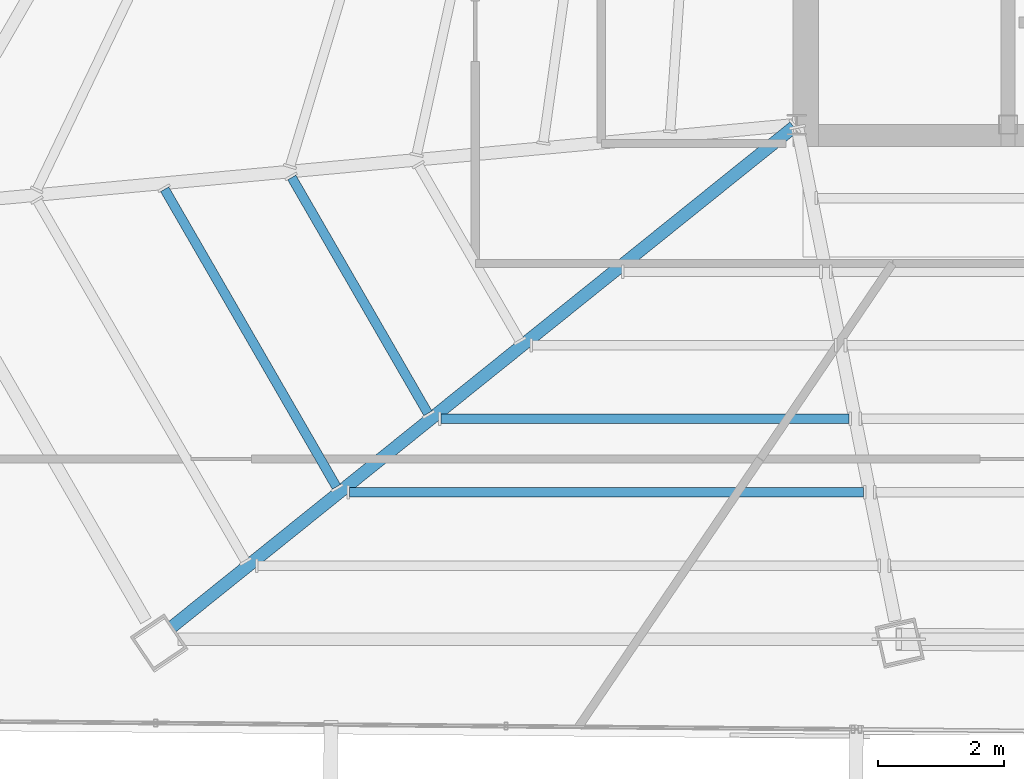
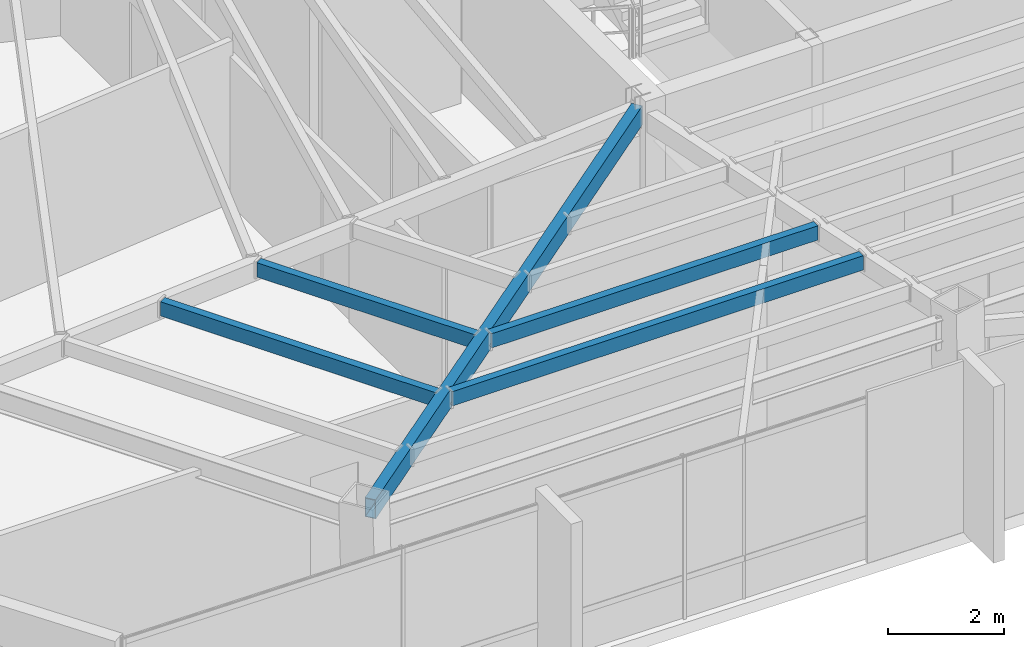
# One storey, part 6 of 47: 5 beams.
"""IFC4 building model written with IfcOpenShell, lengths in metres."""

from ifc_helpers import new_model, si_unit, direction, frame, origin, origin_2d, place, context, subcontext, project, spatial, hollow_rectangle, extrude, source, transform, mapped, material, material_profile, profile_set, type_object, type_shapes, element, save


model = new_model("IFC4")

# Units and contexts
model_context = context("Model", 3, precision=1e-05, world=origin(), true_north=direction((0.0, 1.0)))
body_context = subcontext(model_context, "Body", "Model", "MODEL_VIEW")
ifc_project = project(units=[si_unit("LENGTHUNIT", "METRE"), si_unit("AREAUNIT", "SQUARE_METRE"), si_unit("VOLUMEUNIT", "CUBIC_METRE"), si_unit("PLANEANGLEUNIT", "RADIAN"), si_unit("MASSUNIT", "GRAM", prefix="KILO")], contexts=[model_context])

# Site, building, storey
site_placement = place(None, origin())
site = spatial("IfcSite", under=ifc_project, at=site_placement, CompositionType="ELEMENT")
building_placement = place(site_placement, origin())
building = spatial("IfcBuilding", under=site, at=building_placement, Name="Caelisora Broadcast Tower", CompositionType="ELEMENT")
storey_placement = place(building_placement, frame((0.0, 0.0, 248.10009765625)))
storey = spatial("IfcBuildingStorey", under=building, at=storey_placement, Name="L65", CompositionType="ELEMENT", Elevation=248.10009765625)

# Beams
ifc_material = material(Name="Steel Grade 350 (AS/NZS 1163 C350L0)", Category="steel")
ifc_material_profile_1 = material_profile(ifc_material, hollow_rectangle(XDim=0.199951171875, YDim=0.39990234375, WallThickness=0.012451171875, at=origin_2d()), Name="Steel Grade 350 (AS/NZS 1163 C350L0)")
ifc_profile_set_1 = profile_set([ifc_material_profile_1], Name="Steel Grade 350 (AS/NZS 1163 C350L0)")
beam_type_1 = type_object("IfcBeamType", Name="PG07", PredefinedType="BEAM", material=ifc_profile_set_1)
shared_shape_1 = source(origin(), body_context, "Body", "SweptSolid", [
    extrude(hollow_rectangle(XDim=0.199951171875, YDim=0.39990234375, WallThickness=0.012451171875, at=origin_2d()), origin(), (0.0, 0.0, 1.0), 12.666259765625),
])
type_shapes(beam_type_1, [shared_shape_1])
beam_1_placement = place(storey_placement, frame((30.453125, 17.3623046875, 3.199951171875), z_axis=(-0.779398001594, -0.62652913349, 0.0), x_axis=(0.62652913349, -0.779398001594, 0.0)))
element("IfcBeam", 1, at=beam_1_placement, inside=storey, type_object=beam_type_1, Name="L65 beam PG07", PredefinedType="BEAM", context=body_context, shape_type="MappedRepresentation", body=[
    mapped(shared_shape_1, transform((0.0, 0.0, 0.0), scale=1.0)),
])
ifc_material_profile_2 = material_profile(ifc_material, hollow_rectangle(XDim=0.14990234375, YDim=0.300048828125, WallThickness=0.010009765625, at=origin_2d()), Name="Steel Grade 350 (AS/NZS 1163 C350L0)")
ifc_profile_set_2 = profile_set([ifc_material_profile_2], Name="Steel Grade 350 (AS/NZS 1163 C350L0)")
beam_type_2 = type_object("IfcBeamType", Name="SB05", PredefinedType="JOIST", material=ifc_profile_set_2)
shared_shape_2 = source(origin(), body_context, "Body", "SweptSolid", [
    extrude(hollow_rectangle(XDim=0.14990234375, YDim=0.300048828125, WallThickness=0.010009765625, at=origin_2d()), origin(), (0.0, 0.0, 1.0), 4.317138671875),
])
beam_2_placement = place(storey_placement, frame((22.49169921875, 16.560791015625, 3.25), z_axis=(0.499977010451, -0.8660386764, 0.0), x_axis=(0.8660386764, 0.499977010451, 0.0)))
element("IfcBeam", 2, at=beam_2_placement, inside=storey, type_object=beam_type_2, Name="L65 beam SB05", PredefinedType="JOIST", context=body_context, shape_type="MappedRepresentation", body=[
    mapped(shared_shape_2, transform((0.0, 0.0, 0.0), scale=1.0)),
])
shared_shape_3 = source(origin(), body_context, "Body", "SweptSolid", [
    extrude(hollow_rectangle(XDim=0.14990234375, YDim=0.300048828125, WallThickness=0.010009765625, at=origin_2d()), origin(), (0.0, 0.0, 1.0), 5.44775390625),
])
beam_3_placement = place(storey_placement, frame((20.476318359375, 16.374267578125, 3.25), z_axis=(0.49995650799, -0.866050512452, 0.0), x_axis=(0.866050512452, 0.49995650799, 0.0)))
element("IfcBeam", 3, at=beam_3_placement, inside=storey, type_object=beam_type_2, Name="L65 beam SB05", PredefinedType="JOIST", context=body_context, shape_type="MappedRepresentation", body=[
    mapped(shared_shape_3, transform((0.0, 0.0, 0.0), scale=1.0)),
])
shared_shape_4 = source(origin(), body_context, "Body", "SweptSolid", [
    extrude(hollow_rectangle(XDim=0.14990234375, YDim=0.300048828125, WallThickness=0.010009765625, at=origin_2d()), origin(), (0.0, 0.0, 1.0), 6.46875),
])
beam_4_placement = place(storey_placement, frame((24.85595703125, 12.737060546875, 3.25), z_axis=(1.0, 0.0, 0.0), x_axis=(0.0, 1.0, 0.0)))
element("IfcBeam", 4, at=beam_4_placement, inside=storey, type_object=beam_type_2, Name="L65 beam SB05", PredefinedType="JOIST", context=body_context, shape_type="MappedRepresentation", body=[
    mapped(shared_shape_4, transform((0.0, 0.0, 0.0), scale=1.0)),
])
shared_shape_5 = source(origin(), body_context, "Body", "SweptSolid", [
    extrude(hollow_rectangle(XDim=0.14990234375, YDim=0.300048828125, WallThickness=0.010009765625, at=origin_2d()), origin(), (0.0, 0.0, 1.0), 8.14990234375),
])
type_shapes(beam_type_2, [shared_shape_2, shared_shape_3, shared_shape_4, shared_shape_5])
beam_5_placement = place(storey_placement, frame((23.40576171875, 11.5712890625, 3.25), z_axis=(1.0, 0.0, 0.0), x_axis=(0.0, 1.0, 0.0)))
element("IfcBeam", 5, at=beam_5_placement, inside=storey, type_object=beam_type_2, Name="L65 beam SB05", PredefinedType="JOIST", context=body_context, shape_type="MappedRepresentation", body=[
    mapped(shared_shape_5, transform((0.0, 0.0, 0.0), scale=1.0)),
])

save(model, "model.ifc")
